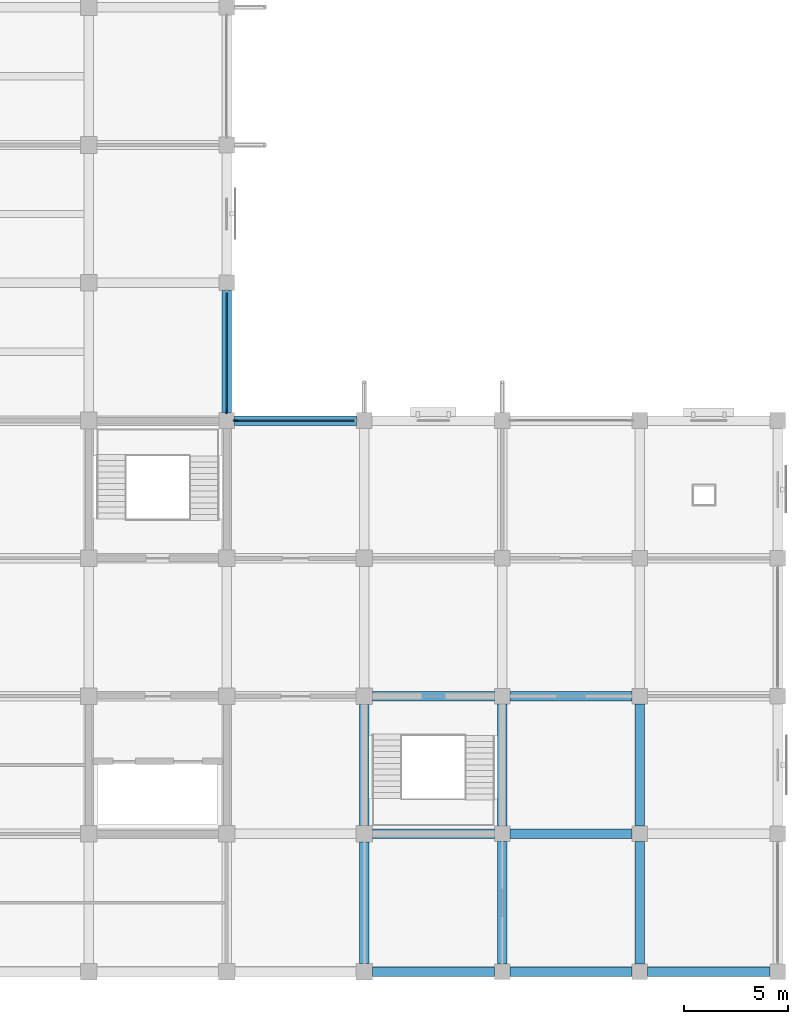
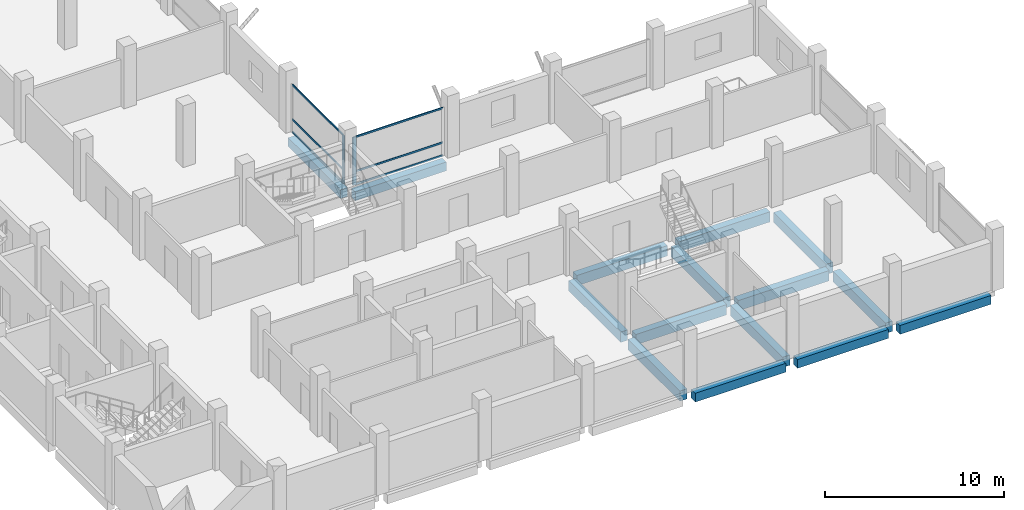
# One storey, part 2 of 18: 15 beams, 8 members, 2 elements without a shape of their own.
"""IFC4 building model written with IfcOpenShell, lengths in metres."""

from ifc_helpers import new_model, si_unit, direction, frame, origin, origin_2d, place, context, subcontext, project, spatial, rectangle, extrude, material, material_profile, profile_set, type_object, element, aggregate, save


model = new_model("IFC4")

# Units and contexts
model_context = context("Model", 3, precision=1e-05, world=origin(), true_north=direction((0.0, 1.0)))
body_context = subcontext(model_context, "Body", "Model", "MODEL_VIEW")
ifc_project = project(units=[si_unit("LENGTHUNIT", "METRE"), si_unit("AREAUNIT", "SQUARE_METRE"), si_unit("VOLUMEUNIT", "CUBIC_METRE"), si_unit("PLANEANGLEUNIT", "RADIAN"), si_unit("MASSUNIT", "GRAM", prefix="KILO")], contexts=[model_context])

# Site, building, storey
site_placement = place(None, origin())
site = spatial("IfcSite", under=ifc_project, at=site_placement, CompositionType="ELEMENT")
building_placement = place(site_placement, origin())
building = spatial("IfcBuilding", under=site, at=building_placement, Name="Rusizi Kubbe Research Institute", CompositionType="ELEMENT")
storey_placement = place(building_placement, frame((0.0, 0.0, 22.800048828125)))
storey = spatial("IfcBuildingStorey", under=building, at=storey_placement, Name="L05", CompositionType="ELEMENT", Elevation=22.800048828125)

# Beams
ifc_material_1 = material(Name="Concrete C40/50", Category="concrete")
ifc_material_profile_1 = material_profile(ifc_material_1, rectangle(XDim=0.449951171875, YDim=0.60009765625, at=origin_2d()), Name="RC450x600")
ifc_profile_set_1 = profile_set([ifc_material_profile_1], Name="Concrete C40/50")
beam_type_1 = type_object("IfcBeamType", Name="BM-RC450x600", PredefinedType="SPANDREL", material=ifc_profile_set_1)
beam_1_placement = place(storey_placement, frame((26.77490234375, 26.39990234375, -0.64013671875), z_axis=(1.0, 0.0, 0.0), x_axis=(0.0, 1.0, 0.0)))
element("IfcBeam", 1, at=beam_1_placement, inside=storey, type_object=beam_type_1, Name="Grid Beam H L05 (4,4)", PredefinedType="SPANDREL", context=body_context, shape_type="SweptSolid", body=[
    extrude(rectangle(XDim=0.449951171875, YDim=0.60009765625, at=origin_2d()), origin(), (0.0, 0.0, 1.0), 5.85009765625),
])
beam_2_placement = place(storey_placement, frame((33.39990234375, 0.0, -0.64013671875), z_axis=(1.0, 0.0, 0.0), x_axis=(0.0, 1.0, 0.0)))
element("IfcBeam", 2, at=beam_2_placement, inside=storey, type_object=beam_type_1, Name="Grid Beam H L05 (5,0)", PredefinedType="SPANDREL", context=body_context, shape_type="SweptSolid", body=[
    extrude(rectangle(XDim=0.449951171875, YDim=0.60009765625, at=origin_2d()), origin(), (0.0, 0.0, 1.0), 5.8251953125),
])
beam_3_placement = place(storey_placement, frame((39.97509765625, 0.0, -0.64013671875), z_axis=(1.0, 0.0, 0.0), x_axis=(0.0, 1.0, 0.0)))
element("IfcBeam", 3, at=beam_3_placement, inside=storey, type_object=beam_type_1, Name="Grid Beam H L05 (6,0)", PredefinedType="SPANDREL", context=body_context, shape_type="SweptSolid", body=[
    extrude(rectangle(XDim=0.449951171875, YDim=0.60009765625, at=origin_2d()), origin(), (0.0, 0.0, 1.0), 5.849853515625),
])
for number, where, z_axis, x_axis, name in (
    (4, (46.574951171875, 0.0, -0.64013671875), (1.0, 0.0, 0.0), (0.0, 1.0, 0.0), "Grid Beam H L05 (7,0)"),
    (5, (26.39990234375, 26.77490234375, -0.64013671875), (0.0, 1.0, 0.0), (-1.0, 0.0, 0.0), "Grid Beam V L05 (4,4)"),
):
    element("IfcBeam", number, at=place(storey_placement, frame(where, z_axis=z_axis, x_axis=x_axis)), inside=storey, type_object=beam_type_1, Name=name, PredefinedType="SPANDREL", context=body_context, shape_type="SweptSolid", body=[
        extrude(rectangle(XDim=0.449951171875, YDim=0.60009765625, at=origin_2d()), origin(), (0.0, 0.0, 1.0), 5.85009765625),
    ])
ifc_material_2 = material(Name="Concrete C40/50", Category="concrete")
ifc_material_profile_2 = material_profile(ifc_material_2, rectangle(XDim=0.449951171875, YDim=0.699951171875, at=origin_2d()), Name="RC450x700B")
ifc_profile_set_2 = profile_set([ifc_material_profile_2], Name="Concrete C40/50")
beam_type_2 = type_object("IfcBeamType", Name="BM-RC450x700", PredefinedType="BEAM", material=ifc_profile_set_2)
for number, where, z_axis, x_axis, name in (
    (6, (33.39990234375, 6.60009765625, -0.68994140625), (1.0, 0.0, 0.0), (0.0, 1.0, 0.0), "Grid Beam H L05 (5,1)"),
    (7, (33.39990234375, 13.199951171875, -0.68994140625), (1.0, 0.0, 0.0), (0.0, 1.0, 0.0), "Grid Beam H L05 (5,2)"),
):
    element("IfcBeam", number, at=place(storey_placement, frame(where, z_axis=z_axis, x_axis=x_axis)), inside=storey, type_object=beam_type_2, Name=name, PredefinedType="BEAM", context=body_context, shape_type="SweptSolid", body=[
        extrude(rectangle(XDim=0.449951171875, YDim=0.699951171875, at=origin_2d()), origin(), (0.0, 0.0, 1.0), 5.8251953125),
    ])
for number, where, z_axis, x_axis, name in (
    (8, (39.97509765625, 6.60009765625, -0.68994140625), (1.0, 0.0, 0.0), (0.0, 1.0, 0.0), "Grid Beam H L05 (6,1)"),
    (9, (39.97509765625, 13.199951171875, -0.68994140625), (1.0, 0.0, 0.0), (0.0, 1.0, 0.0), "Grid Beam H L05 (6,2)"),
):
    element("IfcBeam", number, at=place(storey_placement, frame(where, z_axis=z_axis, x_axis=x_axis)), inside=storey, type_object=beam_type_2, Name=name, PredefinedType="BEAM", context=body_context, shape_type="SweptSolid", body=[
        extrude(rectangle(XDim=0.449951171875, YDim=0.699951171875, at=origin_2d()), origin(), (0.0, 0.0, 1.0), 5.849853515625),
    ])
for number, where, z_axis, x_axis, name in (
    (10, (33.0, 0.39990234375, -0.68994140625), (0.0, 1.0, 0.0), (-1.0, 0.0, 0.0), "Grid Beam V L05 (5,0)"),
    (11, (33.0, 7.0, -0.68994140625), (0.0, 1.0, 0.0), (-1.0, 0.0, 0.0), "Grid Beam V L05 (5,1)"),
):
    element("IfcBeam", number, at=place(storey_placement, frame(where, z_axis=z_axis, x_axis=x_axis)), inside=storey, type_object=beam_type_2, Name=name, PredefinedType="BEAM", context=body_context, shape_type="SweptSolid", body=[
        extrude(rectangle(XDim=0.449951171875, YDim=0.699951171875, at=origin_2d()), origin(), (0.0, 0.0, 1.0), 5.800048828125),
    ])
beam_4_placement = place(storey_placement, frame((39.60009765625, 0.375, -0.68994140625), z_axis=(0.0, 1.0, 0.0), x_axis=(-1.0, 0.0, 0.0)))
element("IfcBeam", 12, at=beam_4_placement, inside=storey, type_object=beam_type_2, Name="Grid Beam V L05 (6,0)", PredefinedType="BEAM", context=body_context, shape_type="SweptSolid", body=[
    extrude(rectangle(XDim=0.449951171875, YDim=0.699951171875, at=origin_2d()), origin(), (0.0, 0.0, 1.0), 5.85009765625),
])
beam_5_placement = place(storey_placement, frame((39.60009765625, 6.97509765625, -0.68994140625), z_axis=(0.0, 1.0, 0.0), x_axis=(-1.0, 0.0, 0.0)))
element("IfcBeam", 13, at=beam_5_placement, inside=storey, type_object=beam_type_2, Name="Grid Beam V L05 (6,1)", PredefinedType="BEAM", context=body_context, shape_type="SweptSolid", body=[
    extrude(rectangle(XDim=0.449951171875, YDim=0.699951171875, at=origin_2d()), origin(), (0.0, 0.0, 1.0), 5.849853515625),
])
beam_6_placement = place(storey_placement, frame((46.199951171875, 0.375, -0.68994140625), z_axis=(0.0, 1.0, 0.0), x_axis=(-1.0, 0.0, 0.0)))
element("IfcBeam", 14, at=beam_6_placement, inside=storey, type_object=beam_type_2, Name="Grid Beam V L05 (7,0)", PredefinedType="BEAM", context=body_context, shape_type="SweptSolid", body=[
    extrude(rectangle(XDim=0.449951171875, YDim=0.699951171875, at=origin_2d()), origin(), (0.0, 0.0, 1.0), 5.85009765625),
])
beam_7_placement = place(storey_placement, frame((46.199951171875, 6.97509765625, -0.68994140625), z_axis=(0.0, 1.0, 0.0), x_axis=(-1.0, 0.0, 0.0)))
element("IfcBeam", 15, at=beam_7_placement, inside=storey, type_object=beam_type_2, Name="Grid Beam V L05 (7,1)", PredefinedType="BEAM", context=body_context, shape_type="SweptSolid", body=[
    extrude(rectangle(XDim=0.449951171875, YDim=0.699951171875, at=origin_2d()), origin(), (0.0, 0.0, 1.0), 5.849853515625),
])

# Curtain wall, member
ifc_material_3 = material(Name="Thermally Broken Aluminium and Low-E Glazing", Category="aluminium")
curtain_wall_type = type_object("IfcCurtainWallType", Name="CW-09", PredefinedType="NOTDEFINED", material=ifc_material_3)
curtain_wall_1_placement = place(storey_placement, origin())
curtain_wall_1 = element("IfcCurtainWall", 16, at=curtain_wall_1_placement, inside=storey, type_object=curtain_wall_type, Name="Unitised Facade Curtain Wall CW-L05-V-04-04", PredefinedType="NOTDEFINED")
ifc_material_4 = material(Name="Aluminium Alloy 6063-T6", Category="aluminium")
ifc_material_profile_3 = material_profile(ifc_material_4, rectangle(XDim=0.06494140625, YDim=0.199951171875, at=origin_2d()), Name="ALU-M 65x200")
ifc_profile_set_3 = profile_set([ifc_material_profile_3], Name="Aluminium Alloy 6063-T6")
member_type_1 = type_object("IfcMemberType", Name="ML-03", PredefinedType="MULLION", material=ifc_profile_set_3)
member_1_placement = place(storey_placement, frame((26.39990234375, 26.83740234375, 0.0), z_axis=(0.0, 0.0, 1.0), x_axis=(-1.0, 0.0, 0.0)))
member_1 = element("IfcMember", 17, at=member_1_placement, type_object=member_type_1, Name="CW-09 mullion 1", PredefinedType="MULLION", context=body_context, shape_type="SweptSolid", body=[
    extrude(rectangle(XDim=0.06494140625, YDim=0.199951171875, at=origin_2d()), origin(), (0.0, 0.0, 1.0), 3.27001953125),
])

curtain_wall_2_placement = place(storey_placement, origin())
curtain_wall_2 = element("IfcCurtainWall", 18, at=curtain_wall_2_placement, inside=storey, type_object=curtain_wall_type, Name="Unitised Facade Curtain Wall CW-L05-H-04-04", PredefinedType="NOTDEFINED")
ifc_material_5 = material(Name="Aluminium Alloy 6063-T6", Category="aluminium")
ifc_material_profile_4 = material_profile(ifc_material_5, rectangle(XDim=0.074951171875, YDim=0.25, at=origin_2d()), Name="ALU-M 75x250")
ifc_profile_set_4 = profile_set([ifc_material_profile_4], Name="Aluminium Alloy 6063-T6")
member_type_2 = type_object("IfcMemberType", Name="ML-05", PredefinedType="MULLION", material=ifc_profile_set_4)
member_2_placement = place(storey_placement, frame((26.842529296875, 26.39990234375, 0.0), z_axis=(0.0, 0.0, 1.0), x_axis=(0.0, 1.0, 0.0)))
member_2 = element("IfcMember", 19, at=member_2_placement, type_object=member_type_2, Name="CW-09 mullion 1", PredefinedType="MULLION", context=body_context, shape_type="SweptSolid", body=[
    extrude(rectangle(XDim=0.074951171875, YDim=0.25, at=origin_2d()), origin(), (0.0, 0.0, 1.0), 3.27001953125),
])

# Member
ifc_material_6 = material(Name="Aluminium Alloy 6063-T6", Category="aluminium")
ifc_material_profile_5 = material_profile(ifc_material_6, rectangle(XDim=0.06005859375, YDim=0.1201171875, at=origin_2d()), Name="ALU-T 60x120")
ifc_profile_set_5 = profile_set([ifc_material_profile_5], Name="Aluminium Alloy 6063-T6")
member_type_3 = type_object("IfcMemberType", Name="TR-01", PredefinedType="USERDEFINED", material=ifc_profile_set_5)
member_3_placement = place(storey_placement, frame((26.39990234375, 26.8701171875, 0.030029296875), z_axis=(0.0, 1.0, 0.0), x_axis=(-1.0, 0.0, 0.0)))
member_3 = element("IfcMember", 20, at=member_3_placement, type_object=member_type_3, Name="CW-09 transom 1.1", ObjectType="TRANSOM", PredefinedType="USERDEFINED", context=body_context, shape_type="SweptSolid", body=[
    extrude(rectangle(XDim=0.06005859375, YDim=0.1201171875, at=origin_2d()), origin(), (0.0, 0.0, 1.0), 5.659912109375),
])

member_4_placement = place(storey_placement, frame((26.39990234375, 26.8701171875, 0.89990234375), z_axis=(0.0, 1.0, 0.0), x_axis=(-1.0, 0.0, 0.0)))
member_4 = element("IfcMember", 21, at=member_4_placement, type_object=member_type_3, Name="CW-09 transom 1.2", ObjectType="TRANSOM", PredefinedType="USERDEFINED", context=body_context, shape_type="SweptSolid", body=[
    extrude(rectangle(XDim=0.06005859375, YDim=0.1201171875, at=origin_2d()), origin(), (0.0, 0.0, 1.0), 5.659912109375),
])

member_5_placement = place(storey_placement, frame((26.39990234375, 26.8701171875, 3.239990234375), z_axis=(0.0, 1.0, 0.0), x_axis=(-1.0, 0.0, 0.0)))
member_5 = element("IfcMember", 22, at=member_5_placement, type_object=member_type_3, Name="CW-09 transom 1.3", ObjectType="TRANSOM", PredefinedType="USERDEFINED", context=body_context, shape_type="SweptSolid", body=[
    extrude(rectangle(XDim=0.06005859375, YDim=0.1201171875, at=origin_2d()), origin(), (0.0, 0.0, 1.0), 5.659912109375),
])

aggregate(curtain_wall_1, [member_1, member_3, member_4, member_5])

member_6_placement = place(storey_placement, frame((26.8798828125, 26.39990234375, 0.030029296875), z_axis=(1.0, 0.0, 0.0), x_axis=(0.0, 1.0, 0.0)))
member_6 = element("IfcMember", 23, at=member_6_placement, type_object=member_type_3, Name="CW-09 transom 1.1", ObjectType="TRANSOM", PredefinedType="USERDEFINED", context=body_context, shape_type="SweptSolid", body=[
    extrude(rectangle(XDim=0.06005859375, YDim=0.1201171875, at=origin_2d()), origin(), (0.0, 0.0, 1.0), 5.64013671875),
])

member_7_placement = place(storey_placement, frame((26.8798828125, 26.39990234375, 0.89990234375), z_axis=(1.0, 0.0, 0.0), x_axis=(0.0, 1.0, 0.0)))
member_7 = element("IfcMember", 24, at=member_7_placement, type_object=member_type_3, Name="CW-09 transom 1.2", ObjectType="TRANSOM", PredefinedType="USERDEFINED", context=body_context, shape_type="SweptSolid", body=[
    extrude(rectangle(XDim=0.06005859375, YDim=0.1201171875, at=origin_2d()), origin(), (0.0, 0.0, 1.0), 5.64013671875),
])

member_8_placement = place(storey_placement, frame((26.8798828125, 26.39990234375, 3.239990234375), z_axis=(1.0, 0.0, 0.0), x_axis=(0.0, 1.0, 0.0)))
member_8 = element("IfcMember", 25, at=member_8_placement, type_object=member_type_3, Name="CW-09 transom 1.3", ObjectType="TRANSOM", PredefinedType="USERDEFINED", context=body_context, shape_type="SweptSolid", body=[
    extrude(rectangle(XDim=0.06005859375, YDim=0.1201171875, at=origin_2d()), origin(), (0.0, 0.0, 1.0), 5.64013671875),
])

aggregate(curtain_wall_2, [member_2, member_6, member_7, member_8])

save(model, "model.ifc")
